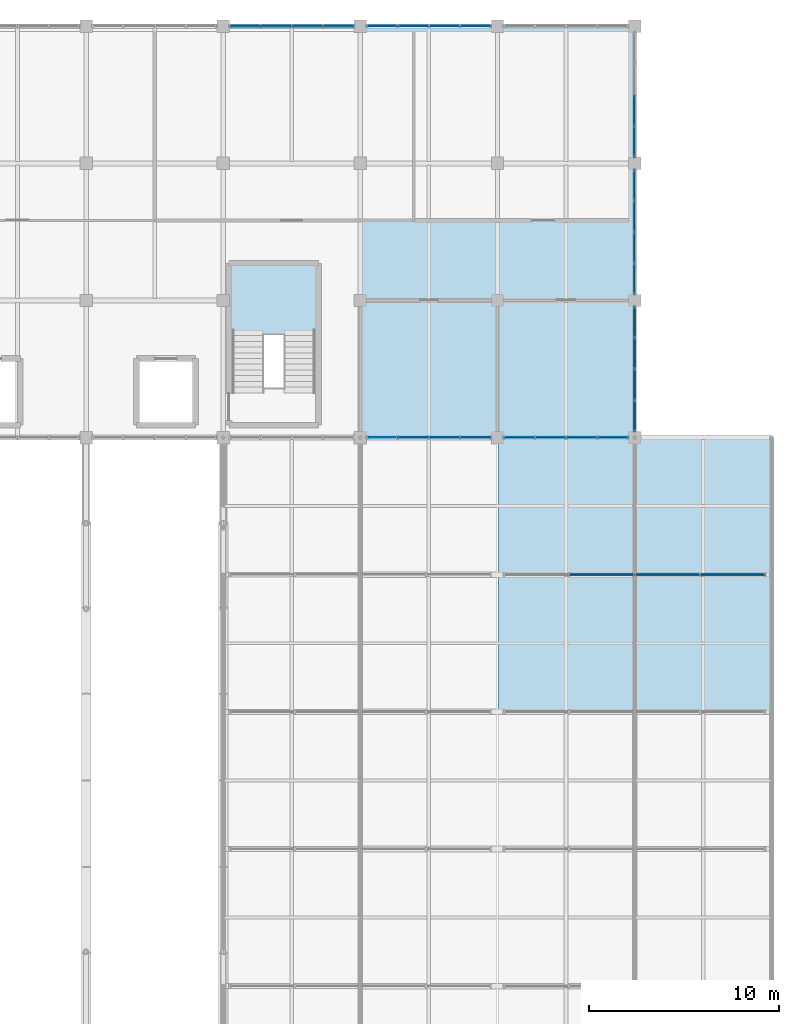
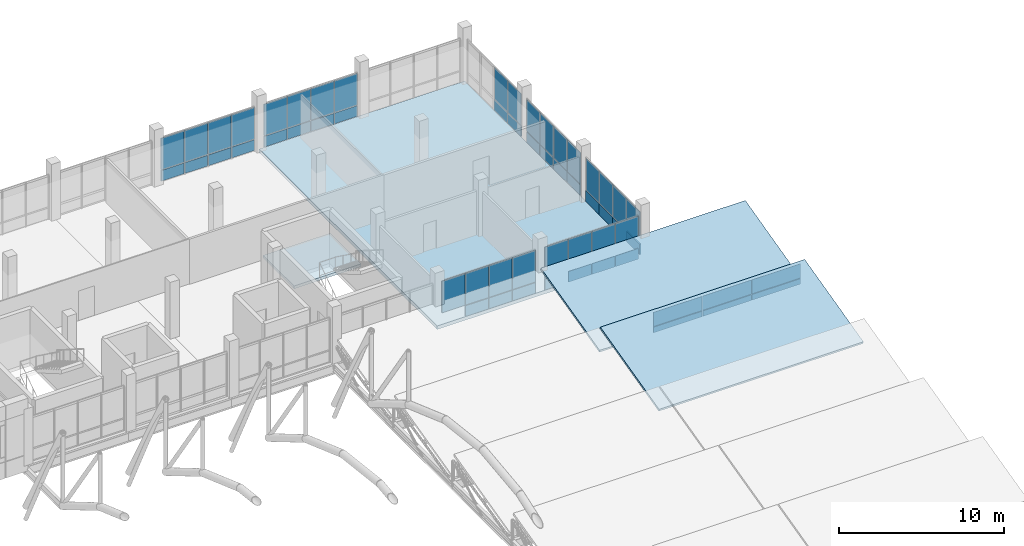
# One storey, part 96 of 144: 57 plates, 4 slabs, 10 elements without a shape of their own.
"""IFC4 building model written with IfcOpenShell, lengths in metres."""

from ifc_helpers import new_model, si_unit, direction, frame, origin, origin_2d, place, context, subcontext, project, spatial, polyline, rectangle, outline, extrude, material, layer, layer_set, type_object, element, aggregate, save


model = new_model("IFC4")

# Units and contexts
model_context = context("Model", 3, precision=1e-05, world=origin(), true_north=direction((0.0, 1.0)))
body_context = subcontext(model_context, "Body", "Model", "MODEL_VIEW")
ifc_project = project(units=[si_unit("LENGTHUNIT", "METRE"), si_unit("AREAUNIT", "SQUARE_METRE"), si_unit("VOLUMEUNIT", "CUBIC_METRE"), si_unit("PLANEANGLEUNIT", "RADIAN"), si_unit("MASSUNIT", "GRAM", prefix="KILO")], contexts=[model_context])

# Site, building, storey
site_placement = place(None, origin())
site = spatial("IfcSite", under=ifc_project, at=site_placement, CompositionType="ELEMENT")
building_placement = place(site_placement, origin())
building = spatial("IfcBuilding", under=site, at=building_placement, Name="Yarey Park Central Fire Station", CompositionType="ELEMENT")
storey_placement = place(building_placement, frame((0.0, 0.0, 10.199951171875)))
storey = spatial("IfcBuildingStorey", under=building, at=storey_placement, Name="L03", CompositionType="ELEMENT", Elevation=10.199951171875)

# Curtain wall, plates
ifc_material_1 = material(Name="Anodized Aluminium Frame", Category="aluminium")
curtain_wall_type_1 = type_object("IfcCurtainWallType", Name="ENV_CW_HQ_L03", PredefinedType="NOTDEFINED", material=ifc_material_1)
curtain_wall_1_placement = place(storey_placement, origin())
curtain_wall_1 = element("IfcCurtainWall", 1, at=curtain_wall_1_placement, inside=storey, type_object=curtain_wall_type_1, Name="CW_L03_V4_S_6", PredefinedType="NOTDEFINED")
ifc_material_2 = material(Name="Insulated Aluminium Spandrel Panel", Category="aluminium")
ifc_layer_1 = layer(ifc_material_2, 0.055908203125)
ifc_layer_set_1 = layer_set([ifc_layer_1], Name="Insulated Aluminium Spandrel Panel")
plate_type_1 = type_object("IfcPlateType", Name="ENV_PNL_SPN_01", PredefinedType="CURTAIN_PANEL", material=ifc_layer_set_1)
plate_1_placement = place(storey_placement, frame((152.33251953125, 93.60009765625, 0.04248046875), z_axis=(0.0, 0.0, 1.0), x_axis=(1.0, 0.0, 0.0)))
plate_1 = element("IfcPlate", 2, at=plate_1_placement, type_object=plate_type_1, Name="CW_L03_V4_S_6_PNL01", PredefinedType="CURTAIN_PANEL", context=body_context, shape_type="SweptSolid", body=[
    extrude(rectangle(XDim=1.60498046875, YDim=0.055908203125, at=origin_2d()), origin(), (0.0, 0.0, 1.0), 0.7900390625),
])
plate_2_placement = place(storey_placement, frame((153.9775390625, 93.60009765625, 0.04248046875), z_axis=(0.0, 0.0, 1.0), x_axis=(1.0, 0.0, 0.0)))
plate_2 = element("IfcPlate", 3, at=plate_2_placement, type_object=plate_type_1, Name="CW_L03_V4_S_6_PNL03", PredefinedType="CURTAIN_PANEL", context=body_context, shape_type="SweptSolid", body=[
    extrude(rectangle(XDim=1.60498046875, YDim=0.055908203125, at=origin_2d()), origin(), (0.0, 0.0, 1.0), 0.7900390625),
])
plate_3_placement = place(storey_placement, frame((155.62255859375, 93.60009765625, 0.04248046875), z_axis=(0.0, 0.0, 1.0), x_axis=(1.0, 0.0, 0.0)))
plate_3 = element("IfcPlate", 4, at=plate_3_placement, type_object=plate_type_1, Name="CW_L03_V4_S_6_PNL05", PredefinedType="CURTAIN_PANEL", context=body_context, shape_type="SweptSolid", body=[
    extrude(rectangle(XDim=1.60498046875, YDim=0.055908203125, at=origin_2d()), origin(), (0.0, 0.0, 1.0), 0.7900390625),
])
plate_4_placement = place(storey_placement, frame((157.267578125, 93.60009765625, 0.04248046875), z_axis=(0.0, 0.0, 1.0), x_axis=(1.0, 0.0, 0.0)))
plate_4 = element("IfcPlate", 5, at=plate_4_placement, type_object=plate_type_1, Name="CW_L03_V4_S_6_PNL07", PredefinedType="CURTAIN_PANEL", context=body_context, shape_type="SweptSolid", body=[
    extrude(rectangle(XDim=1.60498046875, YDim=0.055908203125, at=origin_2d()), origin(), (0.0, 0.0, 1.0), 0.7900390625),
])

curtain_wall_2_placement = place(storey_placement, origin())
curtain_wall_2 = element("IfcCurtainWall", 6, at=curtain_wall_2_placement, inside=storey, type_object=curtain_wall_type_1, Name="CW_L03_V4_E_100", PredefinedType="NOTDEFINED")
plate_5_placement = place(storey_placement, frame((158.39990234375, 101.9326171875, 0.04248046875), z_axis=(0.0, 0.0, 1.0), x_axis=(0.0, 1.0, 0.0)))
plate_5 = element("IfcPlate", 7, at=plate_5_placement, type_object=plate_type_1, Name="CW_L03_V4_E_100_PNL01", PredefinedType="CURTAIN_PANEL", context=body_context, shape_type="SweptSolid", body=[
    extrude(rectangle(XDim=1.60498046875, YDim=0.055908203125, at=origin_2d()), origin(), (0.0, 0.0, 1.0), 0.7900390625),
])
plate_6_placement = place(storey_placement, frame((158.39990234375, 103.577392578125, 0.04248046875), z_axis=(0.0, 0.0, 1.0), x_axis=(0.0, 1.0, 0.0)))
plate_6 = element("IfcPlate", 8, at=plate_6_placement, type_object=plate_type_1, Name="CW_L03_V4_E_100_PNL03", PredefinedType="CURTAIN_PANEL", context=body_context, shape_type="SweptSolid", body=[
    extrude(rectangle(XDim=1.60498046875, YDim=0.055908203125, at=origin_2d()), origin(), (0.0, 0.0, 1.0), 0.7900390625),
])
plate_7_placement = place(storey_placement, frame((158.39990234375, 105.222412109375, 0.04248046875), z_axis=(0.0, 0.0, 1.0), x_axis=(0.0, 1.0, 0.0)))
plate_7 = element("IfcPlate", 9, at=plate_7_placement, type_object=plate_type_1, Name="CW_L03_V4_E_100_PNL05", PredefinedType="CURTAIN_PANEL", context=body_context, shape_type="SweptSolid", body=[
    extrude(rectangle(XDim=1.60498046875, YDim=0.055908203125, at=origin_2d()), origin(), (0.0, 0.0, 1.0), 0.7900390625),
])
plate_8_placement = place(storey_placement, frame((158.39990234375, 106.867431640625, 0.04248046875), z_axis=(0.0, 0.0, 1.0), x_axis=(0.0, 1.0, 0.0)))
plate_8 = element("IfcPlate", 10, at=plate_8_placement, type_object=plate_type_1, Name="CW_L03_V4_E_100_PNL07", PredefinedType="CURTAIN_PANEL", context=body_context, shape_type="SweptSolid", body=[
    extrude(rectangle(XDim=1.60498046875, YDim=0.055908203125, at=origin_2d()), origin(), (0.0, 0.0, 1.0), 0.7900390625),
])

curtain_wall_3_placement = place(storey_placement, origin())
curtain_wall_3 = element("IfcCurtainWall", 11, at=curtain_wall_3_placement, inside=storey, type_object=curtain_wall_type_1, Name="CW_L03_V4_N_5", PredefinedType="NOTDEFINED")
ifc_layer_2 = layer(ifc_material_2, 0.068115234375)
ifc_layer_set_2 = layer_set([ifc_layer_2], Name="Insulated Aluminium Spandrel Panel")
plate_type_2 = type_object("IfcPlateType", Name="ENV_PNL_SPN_02", PredefinedType="CURTAIN_PANEL", material=ifc_layer_set_2)
plate_9_placement = place(storey_placement, frame((150.0673828125, 115.199951171875, 0.04248046875), z_axis=(0.0, 0.0, 1.0), x_axis=(-1.0, 0.0, 0.0)))
plate_9 = element("IfcPlate", 12, at=plate_9_placement, type_object=plate_type_2, Name="CW_L03_V4_N_5_PNL01", PredefinedType="CURTAIN_PANEL", context=body_context, shape_type="SweptSolid", body=[
    extrude(rectangle(XDim=1.60498046875, YDim=0.068115234375, at=origin_2d()), origin(), (0.0, 0.0, 1.0), 0.7900390625),
])
plate_10_placement = place(storey_placement, frame((148.422607421875, 115.199951171875, 0.04248046875), z_axis=(0.0, 0.0, 1.0), x_axis=(-1.0, 0.0, 0.0)))
plate_10 = element("IfcPlate", 13, at=plate_10_placement, type_object=plate_type_2, Name="CW_L03_V4_N_5_PNL03", PredefinedType="CURTAIN_PANEL", context=body_context, shape_type="SweptSolid", body=[
    extrude(rectangle(XDim=1.60498046875, YDim=0.068115234375, at=origin_2d()), origin(), (0.0, 0.0, 1.0), 0.7900390625),
])
plate_11_placement = place(storey_placement, frame((146.777587890625, 115.199951171875, 0.04248046875), z_axis=(0.0, 0.0, 1.0), x_axis=(-1.0, 0.0, 0.0)))
plate_11 = element("IfcPlate", 14, at=plate_11_placement, type_object=plate_type_2, Name="CW_L03_V4_N_5_PNL05", PredefinedType="CURTAIN_PANEL", context=body_context, shape_type="SweptSolid", body=[
    extrude(rectangle(XDim=1.60498046875, YDim=0.068115234375, at=origin_2d()), origin(), (0.0, 0.0, 1.0), 0.7900390625),
])
plate_12_placement = place(storey_placement, frame((145.132568359375, 115.199951171875, 0.04248046875), z_axis=(0.0, 0.0, 1.0), x_axis=(-1.0, 0.0, 0.0)))
plate_12 = element("IfcPlate", 15, at=plate_12_placement, type_object=plate_type_2, Name="CW_L03_V4_N_5_PNL07", PredefinedType="CURTAIN_PANEL", context=body_context, shape_type="SweptSolid", body=[
    extrude(rectangle(XDim=1.60498046875, YDim=0.068115234375, at=origin_2d()), origin(), (0.0, 0.0, 1.0), 0.7900390625),
])

curtain_wall_4_placement = place(storey_placement, origin())
curtain_wall_4 = element("IfcCurtainWall", 16, at=curtain_wall_4_placement, inside=storey, type_object=curtain_wall_type_1, Name="CW_L03_V4_E_108", PredefinedType="NOTDEFINED")
plate_13_placement = place(storey_placement, frame((158.39990234375, 109.132568359375, 0.04248046875), z_axis=(0.0, 0.0, 1.0), x_axis=(0.0, 1.0, 0.0)))
plate_13 = element("IfcPlate", 17, at=plate_13_placement, type_object=plate_type_2, Name="CW_L03_V4_E_108_PNL01", PredefinedType="CURTAIN_PANEL", context=body_context, shape_type="SweptSolid", body=[
    extrude(rectangle(XDim=1.60498046875, YDim=0.068115234375, at=origin_2d()), origin(), (0.0, 0.0, 1.0), 0.7900390625),
])
plate_14_placement = place(storey_placement, frame((158.39990234375, 110.777587890625, 0.04248046875), z_axis=(0.0, 0.0, 1.0), x_axis=(0.0, 1.0, 0.0)))
plate_14 = element("IfcPlate", 18, at=plate_14_placement, type_object=plate_type_2, Name="CW_L03_V4_E_108_PNL03", PredefinedType="CURTAIN_PANEL", context=body_context, shape_type="SweptSolid", body=[
    extrude(rectangle(XDim=1.60498046875, YDim=0.068115234375, at=origin_2d()), origin(), (0.0, 0.0, 1.0), 0.7900390625),
])

curtain_wall_type_2 = type_object("IfcCurtainWallType", Name="ENV_CW_SAW_18", PredefinedType="NOTDEFINED", material=ifc_material_1)
curtain_wall_5_placement = place(storey_placement, origin())
curtain_wall_5 = element("IfcCurtainWall", 19, at=curtain_wall_5_placement, inside=storey, type_object=curtain_wall_type_2, Name="CW_L03_SAW_6_2", PredefinedType="NOTDEFINED")
plate_15_placement = place(storey_placement, frame((163.5673828125, 86.39990234375, 0.04248046875), z_axis=(0.0, 0.0, 1.0), x_axis=(-1.0, 0.0, 0.0)))
plate_15 = element("IfcPlate", 20, at=plate_15_placement, type_object=plate_type_2, Name="CW_L03_SAW_6_2_PNL01", PredefinedType="CURTAIN_PANEL", context=body_context, shape_type="SweptSolid", body=[
    extrude(rectangle(XDim=3.405029296875, YDim=0.068115234375, at=origin_2d()), origin(), (0.0, 0.0, 1.0), 0.4140625),
])
plate_16_placement = place(storey_placement, frame((160.12255859375, 86.39990234375, 0.04248046875), z_axis=(0.0, 0.0, 1.0), x_axis=(-1.0, 0.0, 0.0)))
plate_16 = element("IfcPlate", 21, at=plate_16_placement, type_object=plate_type_2, Name="CW_L03_SAW_6_2_PNL03", PredefinedType="CURTAIN_PANEL", context=body_context, shape_type="SweptSolid", body=[
    extrude(rectangle(XDim=3.405029296875, YDim=0.068115234375, at=origin_2d()), origin(), (0.0, 0.0, 1.0), 0.4140625),
])
plate_17_placement = place(storey_placement, frame((156.677490234375, 86.39990234375, 0.04248046875), z_axis=(0.0, 0.0, 1.0), x_axis=(-1.0, 0.0, 0.0)))
plate_17 = element("IfcPlate", 22, at=plate_17_placement, type_object=plate_type_2, Name="CW_L03_SAW_6_2_PNL05", PredefinedType="CURTAIN_PANEL", context=body_context, shape_type="SweptSolid", body=[
    extrude(rectangle(XDim=3.405029296875, YDim=0.068115234375, at=origin_2d()), origin(), (0.0, 0.0, 1.0), 0.4140625),
])

curtain_wall_6_placement = place(storey_placement, origin())
curtain_wall_6 = element("IfcCurtainWall", 23, at=curtain_wall_6_placement, inside=storey, type_object=curtain_wall_type_1, Name="CW_L03_V4_S_5", PredefinedType="NOTDEFINED")
ifc_layer_3 = layer(ifc_material_2, 0.077880859375)
ifc_layer_set_3 = layer_set([ifc_layer_3], Name="Insulated Aluminium Spandrel Panel")
plate_type_3 = type_object("IfcPlateType", Name="ENV_PNL_SPN_03", PredefinedType="CURTAIN_PANEL", material=ifc_layer_set_3)
plate_18_placement = place(storey_placement, frame((146.777587890625, 93.60009765625, 0.04248046875), z_axis=(0.0, 0.0, 1.0), x_axis=(1.0, 0.0, 0.0)))
plate_18 = element("IfcPlate", 24, at=plate_18_placement, type_object=plate_type_3, Name="CW_L03_V4_S_5_PNL03", PredefinedType="CURTAIN_PANEL", context=body_context, shape_type="SweptSolid", body=[
    extrude(rectangle(XDim=1.60498046875, YDim=0.077880859375, at=origin_2d()), origin(), (0.0, 0.0, 1.0), 0.7900390625),
])
plate_19_placement = place(storey_placement, frame((148.422607421875, 93.60009765625, 0.04248046875), z_axis=(0.0, 0.0, 1.0), x_axis=(1.0, 0.0, 0.0)))
plate_19 = element("IfcPlate", 25, at=plate_19_placement, type_object=plate_type_3, Name="CW_L03_V4_S_5_PNL05", PredefinedType="CURTAIN_PANEL", context=body_context, shape_type="SweptSolid", body=[
    extrude(rectangle(XDim=1.60498046875, YDim=0.077880859375, at=origin_2d()), origin(), (0.0, 0.0, 1.0), 0.7900390625),
])
plate_20_placement = place(storey_placement, frame((150.0673828125, 93.60009765625, 0.04248046875), z_axis=(0.0, 0.0, 1.0), x_axis=(1.0, 0.0, 0.0)))
plate_20 = element("IfcPlate", 26, at=plate_20_placement, type_object=plate_type_3, Name="CW_L03_V4_S_5_PNL07", PredefinedType="CURTAIN_PANEL", context=body_context, shape_type="SweptSolid", body=[
    extrude(rectangle(XDim=1.60498046875, YDim=0.077880859375, at=origin_2d()), origin(), (0.0, 0.0, 1.0), 0.7900390625),
])

curtain_wall_7_placement = place(storey_placement, origin())
curtain_wall_7 = element("IfcCurtainWall", 27, at=curtain_wall_7_placement, inside=storey, type_object=curtain_wall_type_1, Name="CW_L03_V4_N_4", PredefinedType="NOTDEFINED")
ifc_layer_4 = layer(ifc_material_2, 0.087890625)
ifc_layer_set_4 = layer_set([ifc_layer_4], Name="Insulated Aluminium Spandrel Panel")
plate_type_4 = type_object("IfcPlateType", Name="ENV_PNL_SPN_04", PredefinedType="CURTAIN_PANEL", material=ifc_layer_set_4)
plate_21_placement = place(storey_placement, frame((142.867431640625, 115.199951171875, 0.04248046875), z_axis=(0.0, 0.0, 1.0), x_axis=(-1.0, 0.0, 0.0)))
plate_21 = element("IfcPlate", 28, at=plate_21_placement, type_object=plate_type_4, Name="CW_L03_V4_N_4_PNL01", PredefinedType="CURTAIN_PANEL", context=body_context, shape_type="SweptSolid", body=[
    extrude(rectangle(XDim=1.60498046875, YDim=0.087890625, at=origin_2d()), origin(), (0.0, 0.0, 1.0), 0.7900390625),
])
plate_22_placement = place(storey_placement, frame((141.222412109375, 115.199951171875, 0.04248046875), z_axis=(0.0, 0.0, 1.0), x_axis=(-1.0, 0.0, 0.0)))
plate_22 = element("IfcPlate", 29, at=plate_22_placement, type_object=plate_type_4, Name="CW_L03_V4_N_4_PNL03", PredefinedType="CURTAIN_PANEL", context=body_context, shape_type="SweptSolid", body=[
    extrude(rectangle(XDim=1.60498046875, YDim=0.087890625, at=origin_2d()), origin(), (0.0, 0.0, 1.0), 0.7900390625),
])
plate_23_placement = place(storey_placement, frame((139.577392578125, 115.199951171875, 0.04248046875), z_axis=(0.0, 0.0, 1.0), x_axis=(-1.0, 0.0, 0.0)))
plate_23 = element("IfcPlate", 30, at=plate_23_placement, type_object=plate_type_4, Name="CW_L03_V4_N_4_PNL05", PredefinedType="CURTAIN_PANEL", context=body_context, shape_type="SweptSolid", body=[
    extrude(rectangle(XDim=1.60498046875, YDim=0.087890625, at=origin_2d()), origin(), (0.0, 0.0, 1.0), 0.7900390625),
])
plate_24_placement = place(storey_placement, frame((137.9326171875, 115.199951171875, 0.04248046875), z_axis=(0.0, 0.0, 1.0), x_axis=(-1.0, 0.0, 0.0)))
plate_24 = element("IfcPlate", 31, at=plate_24_placement, type_object=plate_type_4, Name="CW_L03_V4_N_4_PNL07", PredefinedType="CURTAIN_PANEL", context=body_context, shape_type="SweptSolid", body=[
    extrude(rectangle(XDim=1.60498046875, YDim=0.087890625, at=origin_2d()), origin(), (0.0, 0.0, 1.0), 0.7900390625),
])

curtain_wall_8_placement = place(storey_placement, origin())
curtain_wall_8 = element("IfcCurtainWall", 32, at=curtain_wall_8_placement, inside=storey, type_object=curtain_wall_type_1, Name="CW_L03_V4_E_93", PredefinedType="NOTDEFINED")
plate_25_placement = place(storey_placement, frame((158.39990234375, 94.732421875, 0.04248046875), z_axis=(0.0, 0.0, 1.0), x_axis=(0.0, 1.0, 0.0)))
plate_25 = element("IfcPlate", 33, at=plate_25_placement, type_object=plate_type_4, Name="CW_L03_V4_E_93_PNL01", PredefinedType="CURTAIN_PANEL", context=body_context, shape_type="SweptSolid", body=[
    extrude(rectangle(XDim=1.60498046875, YDim=0.087890625, at=origin_2d()), origin(), (0.0, 0.0, 1.0), 0.7900390625),
])
plate_26_placement = place(storey_placement, frame((158.39990234375, 96.37744140625, 0.04248046875), z_axis=(0.0, 0.0, 1.0), x_axis=(0.0, 1.0, 0.0)))
plate_26 = element("IfcPlate", 34, at=plate_26_placement, type_object=plate_type_4, Name="CW_L03_V4_E_93_PNL03", PredefinedType="CURTAIN_PANEL", context=body_context, shape_type="SweptSolid", body=[
    extrude(rectangle(XDim=1.60498046875, YDim=0.087890625, at=origin_2d()), origin(), (0.0, 0.0, 1.0), 0.7900390625),
])
plate_27_placement = place(storey_placement, frame((158.39990234375, 98.0224609375, 0.04248046875), z_axis=(0.0, 0.0, 1.0), x_axis=(0.0, 1.0, 0.0)))
plate_27 = element("IfcPlate", 35, at=plate_27_placement, type_object=plate_type_4, Name="CW_L03_V4_E_93_PNL05", PredefinedType="CURTAIN_PANEL", context=body_context, shape_type="SweptSolid", body=[
    extrude(rectangle(XDim=1.60498046875, YDim=0.087890625, at=origin_2d()), origin(), (0.0, 0.0, 1.0), 0.7900390625),
])
plate_28_placement = place(storey_placement, frame((158.39990234375, 99.66748046875, 0.04248046875), z_axis=(0.0, 0.0, 1.0), x_axis=(0.0, 1.0, 0.0)))
plate_28 = element("IfcPlate", 36, at=plate_28_placement, type_object=plate_type_4, Name="CW_L03_V4_E_93_PNL07", PredefinedType="CURTAIN_PANEL", context=body_context, shape_type="SweptSolid", body=[
    extrude(rectangle(XDim=1.60498046875, YDim=0.087890625, at=origin_2d()), origin(), (0.0, 0.0, 1.0), 0.7900390625),
])

# Plate
ifc_material_3 = material(Name="Laminated Hurricane Low-E Glass", Category="glass")
ifc_layer_5 = layer(ifc_material_3, 0.02392578125)
ifc_layer_set_5 = layer_set([ifc_layer_5], Name="Laminated Hurricane Low-E Glass")
plate_type_5 = type_object("IfcPlateType", Name="ENV_PNL_VIS_01", PredefinedType="CURTAIN_PANEL", material=ifc_layer_set_5)
plate_29_placement = place(storey_placement, frame((152.33251953125, 93.60009765625, 0.86767578125), z_axis=(0.0, 0.0, 1.0), x_axis=(1.0, 0.0, 0.0)))
plate_29 = element("IfcPlate", 37, at=plate_29_placement, type_object=plate_type_5, Name="CW_L03_V4_S_6_PNL02", PredefinedType="CURTAIN_PANEL", context=body_context, shape_type="SweptSolid", body=[
    extrude(rectangle(XDim=1.60498046875, YDim=0.02392578125, at=origin_2d()), origin(), (0.0, 0.0, 1.0), 2.340087890625),
])

plate_30_placement = place(storey_placement, frame((153.9775390625, 93.60009765625, 0.86767578125), z_axis=(0.0, 0.0, 1.0), x_axis=(1.0, 0.0, 0.0)))
plate_30 = element("IfcPlate", 38, at=plate_30_placement, type_object=plate_type_5, Name="CW_L03_V4_S_6_PNL04", PredefinedType="CURTAIN_PANEL", context=body_context, shape_type="SweptSolid", body=[
    extrude(rectangle(XDim=1.60498046875, YDim=0.02392578125, at=origin_2d()), origin(), (0.0, 0.0, 1.0), 2.340087890625),
])

plate_31_placement = place(storey_placement, frame((155.62255859375, 93.60009765625, 0.86767578125), z_axis=(0.0, 0.0, 1.0), x_axis=(1.0, 0.0, 0.0)))
plate_31 = element("IfcPlate", 39, at=plate_31_placement, type_object=plate_type_5, Name="CW_L03_V4_S_6_PNL06", PredefinedType="CURTAIN_PANEL", context=body_context, shape_type="SweptSolid", body=[
    extrude(rectangle(XDim=1.60498046875, YDim=0.02392578125, at=origin_2d()), origin(), (0.0, 0.0, 1.0), 2.340087890625),
])

plate_32_placement = place(storey_placement, frame((157.267578125, 93.60009765625, 0.86767578125), z_axis=(0.0, 0.0, 1.0), x_axis=(1.0, 0.0, 0.0)))
plate_32 = element("IfcPlate", 40, at=plate_32_placement, type_object=plate_type_5, Name="CW_L03_V4_S_6_PNL08", PredefinedType="CURTAIN_PANEL", context=body_context, shape_type="SweptSolid", body=[
    extrude(rectangle(XDim=1.60498046875, YDim=0.02392578125, at=origin_2d()), origin(), (0.0, 0.0, 1.0), 2.340087890625),
])

aggregate(curtain_wall_1, [plate_1, plate_29, plate_2, plate_30, plate_3, plate_31, plate_4, plate_32])

plate_33_placement = place(storey_placement, frame((158.39990234375, 101.9326171875, 0.86767578125), z_axis=(0.0, 0.0, 1.0), x_axis=(0.0, 1.0, 0.0)))
plate_33 = element("IfcPlate", 41, at=plate_33_placement, type_object=plate_type_5, Name="CW_L03_V4_E_100_PNL02", PredefinedType="CURTAIN_PANEL", context=body_context, shape_type="SweptSolid", body=[
    extrude(rectangle(XDim=1.60498046875, YDim=0.02392578125, at=origin_2d()), origin(), (0.0, 0.0, 1.0), 2.340087890625),
])

plate_34_placement = place(storey_placement, frame((158.39990234375, 103.577392578125, 0.86767578125), z_axis=(0.0, 0.0, 1.0), x_axis=(0.0, 1.0, 0.0)))
plate_34 = element("IfcPlate", 42, at=plate_34_placement, type_object=plate_type_5, Name="CW_L03_V4_E_100_PNL04", PredefinedType="CURTAIN_PANEL", context=body_context, shape_type="SweptSolid", body=[
    extrude(rectangle(XDim=1.60498046875, YDim=0.02392578125, at=origin_2d()), origin(), (0.0, 0.0, 1.0), 2.340087890625),
])

plate_35_placement = place(storey_placement, frame((158.39990234375, 105.222412109375, 0.86767578125), z_axis=(0.0, 0.0, 1.0), x_axis=(0.0, 1.0, 0.0)))
plate_35 = element("IfcPlate", 43, at=plate_35_placement, type_object=plate_type_5, Name="CW_L03_V4_E_100_PNL06", PredefinedType="CURTAIN_PANEL", context=body_context, shape_type="SweptSolid", body=[
    extrude(rectangle(XDim=1.60498046875, YDim=0.02392578125, at=origin_2d()), origin(), (0.0, 0.0, 1.0), 2.340087890625),
])

plate_36_placement = place(storey_placement, frame((158.39990234375, 106.867431640625, 0.86767578125), z_axis=(0.0, 0.0, 1.0), x_axis=(0.0, 1.0, 0.0)))
plate_36 = element("IfcPlate", 44, at=plate_36_placement, type_object=plate_type_5, Name="CW_L03_V4_E_100_PNL08", PredefinedType="CURTAIN_PANEL", context=body_context, shape_type="SweptSolid", body=[
    extrude(rectangle(XDim=1.60498046875, YDim=0.02392578125, at=origin_2d()), origin(), (0.0, 0.0, 1.0), 2.340087890625),
])

aggregate(curtain_wall_2, [plate_5, plate_33, plate_6, plate_34, plate_7, plate_35, plate_8, plate_36])

ifc_layer_6 = layer(ifc_material_3, 0.031982421875)
ifc_layer_set_6 = layer_set([ifc_layer_6], Name="Laminated Hurricane Low-E Glass")
plate_type_6 = type_object("IfcPlateType", Name="ENV_PNL_VIS_02", PredefinedType="CURTAIN_PANEL", material=ifc_layer_set_6)
plate_37_placement = place(storey_placement, frame((150.0673828125, 115.199951171875, 0.86767578125), z_axis=(0.0, 0.0, 1.0), x_axis=(-1.0, 0.0, 0.0)))
plate_37 = element("IfcPlate", 45, at=plate_37_placement, type_object=plate_type_6, Name="CW_L03_V4_N_5_PNL02", PredefinedType="CURTAIN_PANEL", context=body_context, shape_type="SweptSolid", body=[
    extrude(rectangle(XDim=1.60498046875, YDim=0.031982421875, at=origin_2d()), origin(), (0.0, 0.0, 1.0), 2.340087890625),
])

plate_38_placement = place(storey_placement, frame((148.422607421875, 115.199951171875, 0.86767578125), z_axis=(0.0, 0.0, 1.0), x_axis=(-1.0, 0.0, 0.0)))
plate_38 = element("IfcPlate", 46, at=plate_38_placement, type_object=plate_type_6, Name="CW_L03_V4_N_5_PNL04", PredefinedType="CURTAIN_PANEL", context=body_context, shape_type="SweptSolid", body=[
    extrude(rectangle(XDim=1.60498046875, YDim=0.031982421875, at=origin_2d()), origin(), (0.0, 0.0, 1.0), 2.340087890625),
])

plate_39_placement = place(storey_placement, frame((146.777587890625, 115.199951171875, 0.86767578125), z_axis=(0.0, 0.0, 1.0), x_axis=(-1.0, 0.0, 0.0)))
plate_39 = element("IfcPlate", 47, at=plate_39_placement, type_object=plate_type_6, Name="CW_L03_V4_N_5_PNL06", PredefinedType="CURTAIN_PANEL", context=body_context, shape_type="SweptSolid", body=[
    extrude(rectangle(XDim=1.60498046875, YDim=0.031982421875, at=origin_2d()), origin(), (0.0, 0.0, 1.0), 2.340087890625),
])

plate_40_placement = place(storey_placement, frame((145.132568359375, 115.199951171875, 0.86767578125), z_axis=(0.0, 0.0, 1.0), x_axis=(-1.0, 0.0, 0.0)))
plate_40 = element("IfcPlate", 48, at=plate_40_placement, type_object=plate_type_6, Name="CW_L03_V4_N_5_PNL08", PredefinedType="CURTAIN_PANEL", context=body_context, shape_type="SweptSolid", body=[
    extrude(rectangle(XDim=1.60498046875, YDim=0.031982421875, at=origin_2d()), origin(), (0.0, 0.0, 1.0), 2.340087890625),
])

aggregate(curtain_wall_3, [plate_9, plate_37, plate_10, plate_38, plate_11, plate_39, plate_12, plate_40])

plate_41_placement = place(storey_placement, frame((158.39990234375, 109.132568359375, 0.86767578125), z_axis=(0.0, 0.0, 1.0), x_axis=(0.0, 1.0, 0.0)))
plate_41 = element("IfcPlate", 49, at=plate_41_placement, type_object=plate_type_6, Name="CW_L03_V4_E_108_PNL02", PredefinedType="CURTAIN_PANEL", context=body_context, shape_type="SweptSolid", body=[
    extrude(rectangle(XDim=1.60498046875, YDim=0.031982421875, at=origin_2d()), origin(), (0.0, 0.0, 1.0), 2.340087890625),
])

plate_42_placement = place(storey_placement, frame((158.39990234375, 110.777587890625, 0.86767578125), z_axis=(0.0, 0.0, 1.0), x_axis=(0.0, 1.0, 0.0)))
plate_42 = element("IfcPlate", 50, at=plate_42_placement, type_object=plate_type_6, Name="CW_L03_V4_E_108_PNL04", PredefinedType="CURTAIN_PANEL", context=body_context, shape_type="SweptSolid", body=[
    extrude(rectangle(XDim=1.60498046875, YDim=0.031982421875, at=origin_2d()), origin(), (0.0, 0.0, 1.0), 2.340087890625),
])

aggregate(curtain_wall_4, [plate_13, plate_41, plate_14, plate_42])

plate_43_placement = place(storey_placement, frame((163.5673828125, 86.39990234375, 0.49169921875), z_axis=(0.0, 0.0, 1.0), x_axis=(-1.0, 0.0, 0.0)))
plate_43 = element("IfcPlate", 51, at=plate_43_placement, type_object=plate_type_6, Name="CW_L03_SAW_6_2_PNL02", PredefinedType="CURTAIN_PANEL", context=body_context, shape_type="SweptSolid", body=[
    extrude(rectangle(XDim=3.405029296875, YDim=0.031982421875, at=origin_2d()), origin(), (0.0, 0.0, 1.0), 1.0458984375),
])

plate_44_placement = place(storey_placement, frame((160.12255859375, 86.39990234375, 0.49169921875), z_axis=(0.0, 0.0, 1.0), x_axis=(-1.0, 0.0, 0.0)))
plate_44 = element("IfcPlate", 52, at=plate_44_placement, type_object=plate_type_6, Name="CW_L03_SAW_6_2_PNL04", PredefinedType="CURTAIN_PANEL", context=body_context, shape_type="SweptSolid", body=[
    extrude(rectangle(XDim=3.405029296875, YDim=0.031982421875, at=origin_2d()), origin(), (0.0, 0.0, 1.0), 1.0458984375),
])

plate_45_placement = place(storey_placement, frame((156.677490234375, 86.39990234375, 0.49169921875), z_axis=(0.0, 0.0, 1.0), x_axis=(-1.0, 0.0, 0.0)))
plate_45 = element("IfcPlate", 53, at=plate_45_placement, type_object=plate_type_6, Name="CW_L03_SAW_6_2_PNL06", PredefinedType="CURTAIN_PANEL", context=body_context, shape_type="SweptSolid", body=[
    extrude(rectangle(XDim=3.405029296875, YDim=0.031982421875, at=origin_2d()), origin(), (0.0, 0.0, 1.0), 1.0458984375),
])

aggregate(curtain_wall_5, [plate_15, plate_43, plate_16, plate_44, plate_17, plate_45])

ifc_layer_7 = layer(ifc_material_3, 0.0380859375)
ifc_layer_set_7 = layer_set([ifc_layer_7], Name="Laminated Hurricane Low-E Glass")
plate_type_7 = type_object("IfcPlateType", Name="ENV_PNL_VIS_03", PredefinedType="CURTAIN_PANEL", material=ifc_layer_set_7)
plate_46_placement = place(storey_placement, frame((145.132568359375, 93.60009765625, 0.86767578125), z_axis=(0.0, 0.0, 1.0), x_axis=(1.0, 0.0, 0.0)))
plate_46 = element("IfcPlate", 54, at=plate_46_placement, type_object=plate_type_7, Name="CW_L03_V4_S_5_PNL02", PredefinedType="CURTAIN_PANEL", context=body_context, shape_type="SweptSolid", body=[
    extrude(rectangle(XDim=1.60498046875, YDim=0.0380859375, at=origin_2d()), origin(), (0.0, 0.0, 1.0), 2.340087890625),
])

plate_47_placement = place(storey_placement, frame((146.777587890625, 93.60009765625, 0.86767578125), z_axis=(0.0, 0.0, 1.0), x_axis=(1.0, 0.0, 0.0)))
plate_47 = element("IfcPlate", 55, at=plate_47_placement, type_object=plate_type_7, Name="CW_L03_V4_S_5_PNL04", PredefinedType="CURTAIN_PANEL", context=body_context, shape_type="SweptSolid", body=[
    extrude(rectangle(XDim=1.60498046875, YDim=0.0380859375, at=origin_2d()), origin(), (0.0, 0.0, 1.0), 2.340087890625),
])

plate_48_placement = place(storey_placement, frame((148.422607421875, 93.60009765625, 0.86767578125), z_axis=(0.0, 0.0, 1.0), x_axis=(1.0, 0.0, 0.0)))
plate_48 = element("IfcPlate", 56, at=plate_48_placement, type_object=plate_type_7, Name="CW_L03_V4_S_5_PNL06", PredefinedType="CURTAIN_PANEL", context=body_context, shape_type="SweptSolid", body=[
    extrude(rectangle(XDim=1.60498046875, YDim=0.0380859375, at=origin_2d()), origin(), (0.0, 0.0, 1.0), 2.340087890625),
])

plate_49_placement = place(storey_placement, frame((150.0673828125, 93.60009765625, 0.86767578125), z_axis=(0.0, 0.0, 1.0), x_axis=(1.0, 0.0, 0.0)))
plate_49 = element("IfcPlate", 57, at=plate_49_placement, type_object=plate_type_7, Name="CW_L03_V4_S_5_PNL08", PredefinedType="CURTAIN_PANEL", context=body_context, shape_type="SweptSolid", body=[
    extrude(rectangle(XDim=1.60498046875, YDim=0.0380859375, at=origin_2d()), origin(), (0.0, 0.0, 1.0), 2.340087890625),
])

aggregate(curtain_wall_6, [plate_46, plate_18, plate_47, plate_19, plate_48, plate_20, plate_49])

ifc_layer_8 = layer(ifc_material_3, 0.0458984375)
ifc_layer_set_8 = layer_set([ifc_layer_8], Name="Laminated Hurricane Low-E Glass")
plate_type_8 = type_object("IfcPlateType", Name="ENV_PNL_VIS_04", PredefinedType="CURTAIN_PANEL", material=ifc_layer_set_8)
plate_50_placement = place(storey_placement, frame((142.867431640625, 115.199951171875, 0.86767578125), z_axis=(0.0, 0.0, 1.0), x_axis=(-1.0, 0.0, 0.0)))
plate_50 = element("IfcPlate", 58, at=plate_50_placement, type_object=plate_type_8, Name="CW_L03_V4_N_4_PNL02", PredefinedType="CURTAIN_PANEL", context=body_context, shape_type="SweptSolid", body=[
    extrude(rectangle(XDim=1.60498046875, YDim=0.0458984375, at=origin_2d()), origin(), (0.0, 0.0, 1.0), 2.340087890625),
])

plate_51_placement = place(storey_placement, frame((141.222412109375, 115.199951171875, 0.86767578125), z_axis=(0.0, 0.0, 1.0), x_axis=(-1.0, 0.0, 0.0)))
plate_51 = element("IfcPlate", 59, at=plate_51_placement, type_object=plate_type_8, Name="CW_L03_V4_N_4_PNL04", PredefinedType="CURTAIN_PANEL", context=body_context, shape_type="SweptSolid", body=[
    extrude(rectangle(XDim=1.60498046875, YDim=0.0458984375, at=origin_2d()), origin(), (0.0, 0.0, 1.0), 2.340087890625),
])

plate_52_placement = place(storey_placement, frame((139.577392578125, 115.199951171875, 0.86767578125), z_axis=(0.0, 0.0, 1.0), x_axis=(-1.0, 0.0, 0.0)))
plate_52 = element("IfcPlate", 60, at=plate_52_placement, type_object=plate_type_8, Name="CW_L03_V4_N_4_PNL06", PredefinedType="CURTAIN_PANEL", context=body_context, shape_type="SweptSolid", body=[
    extrude(rectangle(XDim=1.60498046875, YDim=0.0458984375, at=origin_2d()), origin(), (0.0, 0.0, 1.0), 2.340087890625),
])

plate_53_placement = place(storey_placement, frame((137.9326171875, 115.199951171875, 0.86767578125), z_axis=(0.0, 0.0, 1.0), x_axis=(-1.0, 0.0, 0.0)))
plate_53 = element("IfcPlate", 61, at=plate_53_placement, type_object=plate_type_8, Name="CW_L03_V4_N_4_PNL08", PredefinedType="CURTAIN_PANEL", context=body_context, shape_type="SweptSolid", body=[
    extrude(rectangle(XDim=1.60498046875, YDim=0.0458984375, at=origin_2d()), origin(), (0.0, 0.0, 1.0), 2.340087890625),
])

aggregate(curtain_wall_7, [plate_21, plate_50, plate_22, plate_51, plate_23, plate_52, plate_24, plate_53])

plate_54_placement = place(storey_placement, frame((158.39990234375, 94.732421875, 0.86767578125), z_axis=(0.0, 0.0, 1.0), x_axis=(0.0, 1.0, 0.0)))
plate_54 = element("IfcPlate", 62, at=plate_54_placement, type_object=plate_type_8, Name="CW_L03_V4_E_93_PNL02", PredefinedType="CURTAIN_PANEL", context=body_context, shape_type="SweptSolid", body=[
    extrude(rectangle(XDim=1.60498046875, YDim=0.0458984375, at=origin_2d()), origin(), (0.0, 0.0, 1.0), 2.340087890625),
])

plate_55_placement = place(storey_placement, frame((158.39990234375, 96.37744140625, 0.86767578125), z_axis=(0.0, 0.0, 1.0), x_axis=(0.0, 1.0, 0.0)))
plate_55 = element("IfcPlate", 63, at=plate_55_placement, type_object=plate_type_8, Name="CW_L03_V4_E_93_PNL04", PredefinedType="CURTAIN_PANEL", context=body_context, shape_type="SweptSolid", body=[
    extrude(rectangle(XDim=1.60498046875, YDim=0.0458984375, at=origin_2d()), origin(), (0.0, 0.0, 1.0), 2.340087890625),
])

plate_56_placement = place(storey_placement, frame((158.39990234375, 98.0224609375, 0.86767578125), z_axis=(0.0, 0.0, 1.0), x_axis=(0.0, 1.0, 0.0)))
plate_56 = element("IfcPlate", 64, at=plate_56_placement, type_object=plate_type_8, Name="CW_L03_V4_E_93_PNL06", PredefinedType="CURTAIN_PANEL", context=body_context, shape_type="SweptSolid", body=[
    extrude(rectangle(XDim=1.60498046875, YDim=0.0458984375, at=origin_2d()), origin(), (0.0, 0.0, 1.0), 2.340087890625),
])

plate_57_placement = place(storey_placement, frame((158.39990234375, 99.66748046875, 0.86767578125), z_axis=(0.0, 0.0, 1.0), x_axis=(0.0, 1.0, 0.0)))
plate_57 = element("IfcPlate", 65, at=plate_57_placement, type_object=plate_type_8, Name="CW_L03_V4_E_93_PNL08", PredefinedType="CURTAIN_PANEL", context=body_context, shape_type="SweptSolid", body=[
    extrude(rectangle(XDim=1.60498046875, YDim=0.0458984375, at=origin_2d()), origin(), (0.0, 0.0, 1.0), 2.340087890625),
])

aggregate(curtain_wall_8, [plate_25, plate_54, plate_26, plate_55, plate_27, plate_56, plate_28, plate_57])

# Stair, slab
ifc_material_4 = material(Name="Concrete C40/50", Category="concrete")
stair_type = type_object("IfcStairType", Name="INT_ST_2RUN_150_H42", PredefinedType="USERDEFINED", material=ifc_material_4)
stair_placement = place(storey_placement, origin())
stair = element("IfcStair", 66, at=stair_placement, inside=storey, type_object=stair_type, Name="Exit Stair ST-2 L03", ObjectType="TWO_RUN_STAIR", PredefinedType="USERDEFINED")
ifc_layer_9 = layer(ifc_material_4, 0.205078125)
ifc_layer_set_9 = layer_set([ifc_layer_9], Name="Concrete C40/50")
slab_type_1 = type_object("IfcSlabType", Name="INT_SLAB_LND205", PredefinedType="LANDING", material=ifc_layer_set_9)
slab_1_placement = place(storey_placement, frame((0.0, 0.0, 1.89501953125)))
slab_1 = element("IfcSlab", 67, at=slab_1_placement, type_object=slab_type_1, Name="STAIR_C2_L03_LND", PredefinedType="LANDING", context=body_context, shape_type="SweptSolid", body=[
    extrude(outline(polyline([(137.10009765625, 99.0), (141.800048828125, 99.0), (141.800048828125, 102.75), (137.10009765625, 102.75), (137.10009765625, 99.0)])), origin(), (0.0, 0.0, 1.0), 0.205078125),
])
aggregate(stair, [slab_1])

# Roof, slabs
ifc_material_5 = material(Name="Steel ASTM A500 Gr. C", Category="steel")
roof_type = type_object("IfcRoofType", Name="ARCH_ROOF_SAW", PredefinedType="SHED_ROOF", material=ifc_material_5)
roof_placement = place(storey_placement, origin())
roof = element("IfcRoof", 68, at=roof_placement, inside=storey, type_object=roof_type, Name="ROOF_CONTAINER_V5_SAW", PredefinedType="SHED_ROOF")
ifc_layer_10 = layer(ifc_material_4, 0.1650390625)
ifc_layer_set_10 = layer_set([ifc_layer_10], Name="Concrete C40/50")
slab_type_2 = type_object("IfcSlabType", Name="STR_ROOF_SAW165", PredefinedType="ROOF", material=ifc_layer_set_10)
slab_2_placement = place(storey_placement, frame((151.239990234375, 79.239990234375, 0.0), z_axis=(0.0, -0.241909307555, 0.970298864741), x_axis=(1.0, 0.0, 0.0)))
slab_2 = element("IfcSlab", 69, at=slab_2_placement, type_object=slab_type_2, Name="ROOF_L03_V5_SAW_6_2", PredefinedType="ROOF", context=body_context, shape_type="SweptSolid", body=[
    extrude(outline(polyline([(0.0, 0.0), (14.31005859375, 0.0), (14.31005859375, 7.338066080700134), (0.0, 7.338066080700134), (0.0, 0.0)])), origin(), (0.0, 0.0, -1.0), 0.1650390625),
])
slab_3_placement = place(storey_placement, frame((151.239990234375, 86.43994140625, 0.0), z_axis=(0.0, -0.241909307555, 0.970298864741), x_axis=(1.0, 0.0, 0.0)))
slab_3 = element("IfcSlab", 70, at=slab_3_placement, type_object=slab_type_2, Name="ROOF_L03_V5_SAW_7_2", PredefinedType="ROOF", context=body_context, shape_type="SweptSolid", body=[
    extrude(outline(polyline([(0.0, 0.0), (14.31005859375, 0.0), (14.31005859375, 7.338066080700134), (0.0, 7.338066080700134), (0.0, 0.0)])), origin(), (0.0, 0.0, -1.0), 0.1650390625),
])
aggregate(roof, [slab_2, slab_3])

# Slab
ifc_layer_11 = layer(ifc_material_4, 0.260009765625)
ifc_layer_set_11 = layer_set([ifc_layer_11], Name="Concrete C40/50")
slab_type_3 = type_object("IfcSlabType", Name="STR_SLAB_F260", PredefinedType="FLOOR", material=ifc_layer_set_11)
slab_4_placement = place(storey_placement, frame((0.0, 0.0, -0.260009765625)))
element("IfcSlab", 71, at=slab_4_placement, inside=storey, type_object=slab_type_3, Name="SLAB_L03_V4_3", PredefinedType="FLOOR", context=body_context, shape_type="SweptSolid", body=[
    extrude(outline(polyline([(144.0, 93.60009765625), (158.39990234375, 93.60009765625), (158.39990234375, 115.199951171875), (144.0, 115.199951171875), (144.0, 93.60009765625)])), origin(), (0.0, 0.0, 1.0), 0.260009765625),
])

save(model, "model.ifc")
